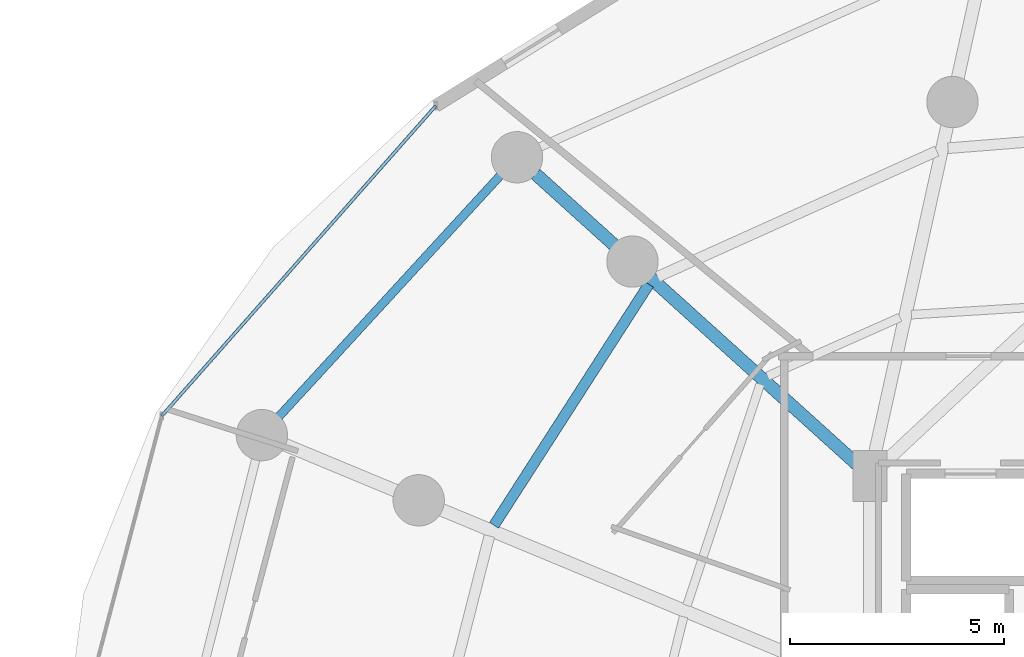
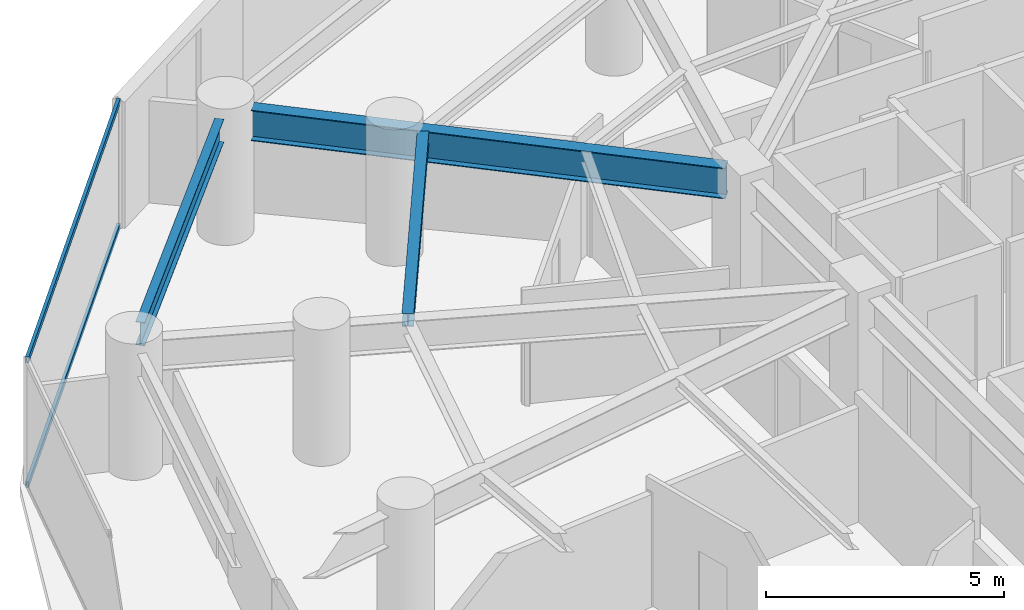
# One storey, part 18 of 33: 3 beams, 2 members, 1 element without a shape of its own.
"""IFC4 building model written with IfcOpenShell, lengths in metres."""

from ifc_helpers import new_model, si_unit, direction, frame, origin, origin_2d, place, context, subcontext, project, spatial, hollow_rectangle, i_section, extrude, material, material_profile, profile_set, type_object, element, aggregate, save


model = new_model("IFC4")

# Units and contexts
model_context = context("Model", 3, precision=1e-05, world=origin(), true_north=direction((0.0, 1.0)))
body_context = subcontext(model_context, "Body", "Model", "MODEL_VIEW")
ifc_project = project(units=[si_unit("LENGTHUNIT", "METRE"), si_unit("AREAUNIT", "SQUARE_METRE"), si_unit("VOLUMEUNIT", "CUBIC_METRE"), si_unit("PLANEANGLEUNIT", "RADIAN"), si_unit("MASSUNIT", "GRAM", prefix="KILO")], contexts=[model_context])

# Site, building, storey
site_placement = place(None, origin())
site = spatial("IfcSite", under=ifc_project, at=site_placement, CompositionType="ELEMENT")
building_placement = place(site_placement, origin())
building = spatial("IfcBuilding", under=site, at=building_placement, Name="Vorneva Point Tower", CompositionType="ELEMENT")
storey_placement = place(building_placement, frame((0.0, 0.0, 59.0)))
storey = spatial("IfcBuildingStorey", under=building, at=storey_placement, Name="L15", CompositionType="ELEMENT", Elevation=59.0)

# Beams
ifc_material_1 = material(Name="Steel S355", Category="steel")
ifc_material_profile_1 = material_profile(ifc_material_1, i_section(OverallWidth=0.300048828125, OverallDepth=0.7880859375, WebThickness=0.014404296875, FlangeThickness=0.02197265625, at=origin_2d()), Name="80Sh1")
ifc_profile_set_1 = profile_set([ifc_material_profile_1], Name="Steel S355")
beam_type_1 = type_object("IfcBeamType", Name="BM-GRD-80Sh1", PredefinedType="USERDEFINED", material=ifc_profile_set_1)
beam_1_placement = place(storey_placement, frame((19.43896484375, 40.205810546875, 2.845947265625), z_axis=(0.742076105577, -0.670315637243, 0.0), x_axis=(0.670315637243, 0.742076105577, 0.0)))
element("IfcBeam", 1, at=beam_1_placement, inside=storey, type_object=beam_type_1, Name="L15 Radial Primary Girder 07", ObjectType="GIRDER", PredefinedType="USERDEFINED", context=body_context, shape_type="SweptSolid", body=[
    extrude(i_section(OverallWidth=0.300048828125, OverallDepth=0.7880859375, WebThickness=0.014404296875, FlangeThickness=0.02197265625, at=origin_2d()), origin(), (0.0, 0.0, 1.0), 10.18603515625),
])
ifc_material_profile_2 = material_profile(ifc_material_1, i_section(OverallWidth=0.2490234375, OverallDepth=0.333984375, WebThickness=0.008056640625, FlangeThickness=0.010986328125, at=origin_2d()), Name="35Sh1")
ifc_profile_set_2 = profile_set([ifc_material_profile_2], Name="Steel S355")
beam_type_2 = type_object("IfcBeamType", Name="BM-SEC-35Sh1", PredefinedType="BEAM", material=ifc_profile_set_2)
beam_2_placement = place(storey_placement, frame((22.08544921875, 37.631591796875, 3.072998046875), z_axis=(-0.540733638861, -0.8411938729, 0.0), x_axis=(0.8411938729, -0.540733638861, 0.0)))
element("IfcBeam", 2, at=beam_2_placement, inside=storey, type_object=beam_type_2, Name="L15 Secondary Floor Beam 1.07", PredefinedType="BEAM", context=body_context, shape_type="SweptSolid", body=[
    extrude(i_section(OverallWidth=0.2490234375, OverallDepth=0.333984375, WebThickness=0.008056640625, FlangeThickness=0.010986328125, at=origin_2d()), origin(), (0.0, 0.0, 1.0), 6.697021484375),
])
ifc_material_profile_3 = material_profile(ifc_material_1, i_section(OverallWidth=0.198974609375, OverallDepth=0.595947265625, WebThickness=0.010009765625, FlangeThickness=0.014892578125, at=origin_2d()), Name="60B1")
ifc_profile_set_3 = profile_set([ifc_material_profile_3], Name="Steel S355")
beam_type_3 = type_object("IfcBeamType", Name="BM-SPN-60B1", PredefinedType="SPANDREL", material=ifc_profile_set_3)
beam_3_placement = place(storey_placement, frame((18.60693359375, 40.1689453125, 2.94189453125), z_axis=(-0.676359049176, -0.736572085133, 0.0), x_axis=(0.736572085133, -0.676359049176, 0.0)))
element("IfcBeam", 3, at=beam_3_placement, inside=storey, type_object=beam_type_3, Name="L15 Perimeter Spandrel Ring Beam 07", PredefinedType="SPANDREL", context=body_context, shape_type="SweptSolid", body=[
    extrude(i_section(OverallWidth=0.198974609375, OverallDepth=0.595947265625, WebThickness=0.010009765625, FlangeThickness=0.014892578125, at=origin_2d()), origin(), (0.0, 0.0, 1.0), 7.64697265625),
])

# Curtain wall, members
ifc_material_2 = material(Name="Pale anodised aluminium", Category="aluminium")
curtain_wall_type = type_object("IfcCurtainWallType", Name="CW-HTL-SYS", PredefinedType="NOTDEFINED", material=ifc_material_2)
curtain_wall_placement = place(storey_placement, origin())
curtain_wall = element("IfcCurtainWall", 4, at=curtain_wall_placement, inside=storey, type_object=curtain_wall_type, Name="L15 Unitised Curtain Wall CW-L15-R03", PredefinedType="NOTDEFINED")
ifc_material_profile_4 = material_profile(ifc_material_2, hollow_rectangle(XDim=0.074951171875, YDim=0.14990234375, WallThickness=0.00390625, at=origin_2d()), Name="AL-TRN 150x75x4")
ifc_profile_set_4 = profile_set([ifc_material_profile_4], Name="Pale anodised aluminium")
member_type = type_object("IfcMemberType", Name="CW-TRN-150", PredefinedType="USERDEFINED", material=ifc_profile_set_4)
member_1_placement = place(storey_placement, frame((17.10498046875, 41.8037109375, 0.02001953125), z_axis=(-0.662075539029, -0.749437109182, 0.0), x_axis=(0.749437109182, -0.662075539029, 0.0)))
member_1 = element("IfcMember", 5, at=member_1_placement, type_object=member_type, Name="CW-L15-R03 Transom 01.1", ObjectType="TRANSOM", PredefinedType="USERDEFINED", context=body_context, shape_type="SweptSolid", body=[
    extrude(hollow_rectangle(XDim=0.074951171875, YDim=0.14990234375, WallThickness=0.00390625, at=origin_2d()), origin(), (0.0, 0.0, 1.0), 9.6748046875),
])
member_2_placement = place(storey_placement, frame((17.10498046875, 41.8037109375, 3.219970703125), z_axis=(-0.662075539029, -0.749437109182, 0.0), x_axis=(0.749437109182, -0.662075539029, 0.0)))
member_2 = element("IfcMember", 6, at=member_2_placement, type_object=member_type, Name="CW-L15-R03 Transom 01.2", ObjectType="TRANSOM", PredefinedType="USERDEFINED", context=body_context, shape_type="SweptSolid", body=[
    extrude(hollow_rectangle(XDim=0.074951171875, YDim=0.14990234375, WallThickness=0.00390625, at=origin_2d()), origin(), (0.0, 0.0, 1.0), 9.6748046875),
])
aggregate(curtain_wall, [member_1, member_2])

save(model, "model.ifc")
